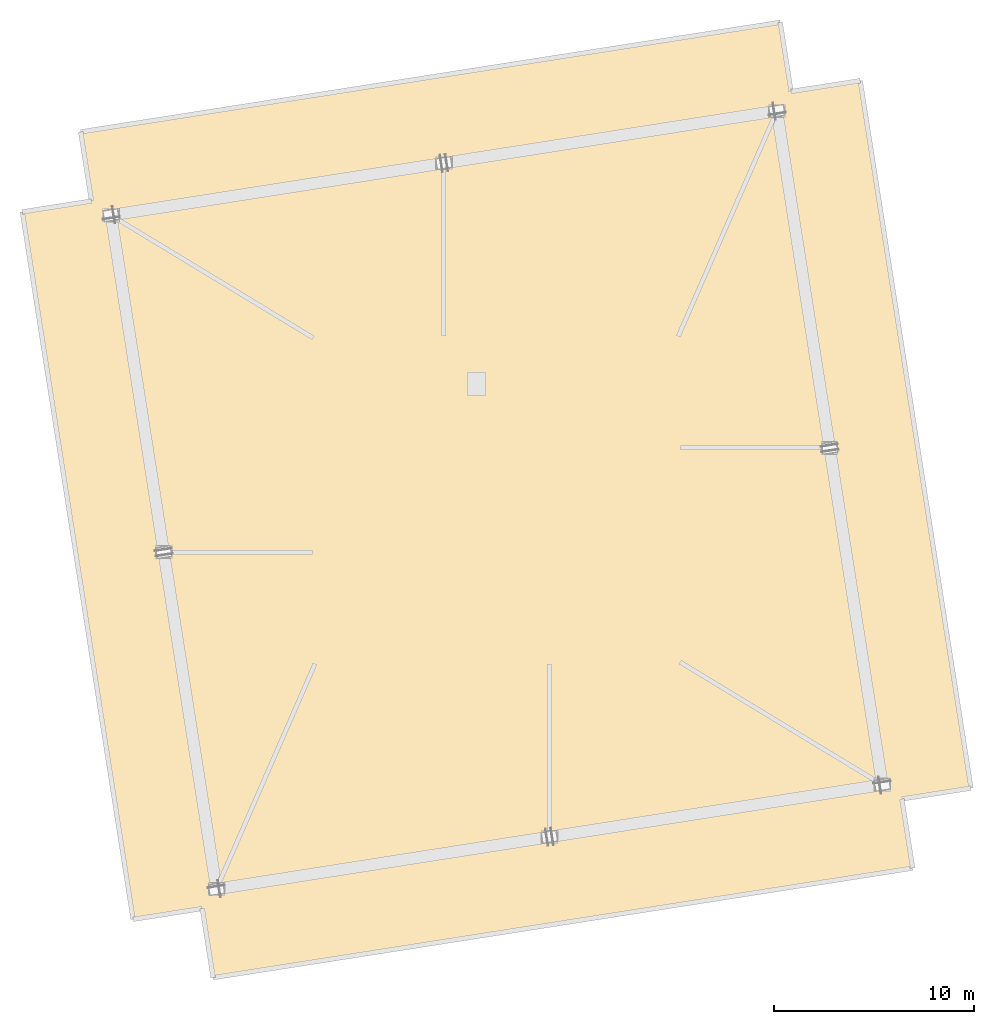
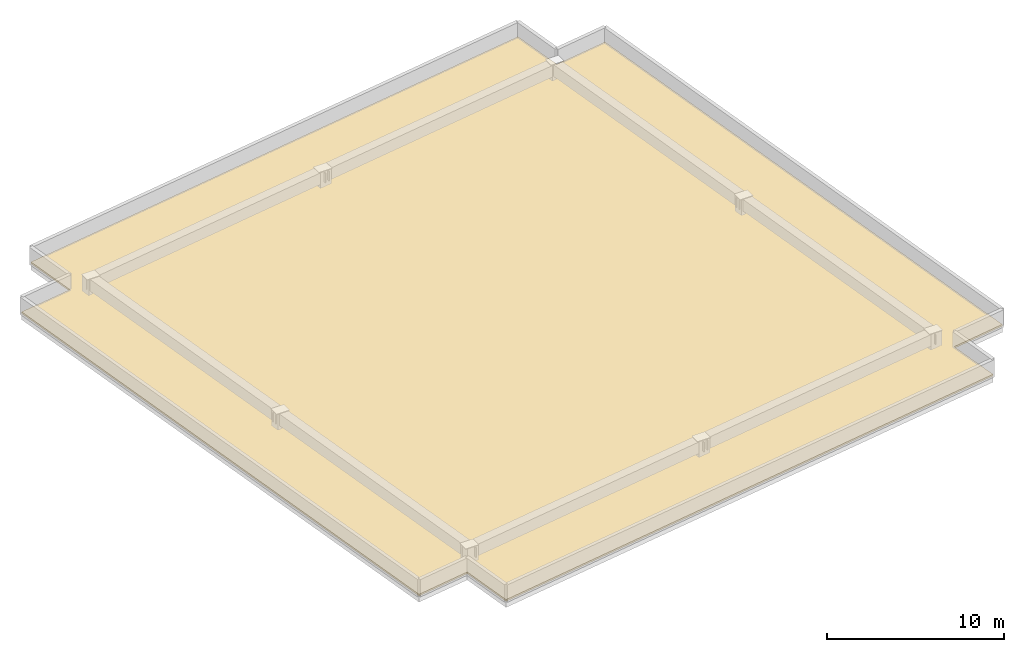
# One storey, part 3 of 3: 1 covering.
"""IFC4 building model written with IfcOpenShell, lengths in metres."""

from ifc_helpers import new_model, si_unit, direction, frame, origin, place, context, subcontext, project, spatial, polyline, outline, extrude, material, layer, layer_set, type_object, element, save


model = new_model("IFC4")

# Units and contexts
model_context = context("Model", 3, precision=1e-05, world=origin(), true_north=direction((0.0, 1.0)))
body_context = subcontext(model_context, "Body", "Model", "MODEL_VIEW")
ifc_project = project(units=[si_unit("LENGTHUNIT", "METRE"), si_unit("AREAUNIT", "SQUARE_METRE"), si_unit("VOLUMEUNIT", "CUBIC_METRE"), si_unit("PLANEANGLEUNIT", "RADIAN"), si_unit("MASSUNIT", "GRAM", prefix="KILO")], contexts=[model_context])

# Site, building, storey
site_placement = place(None, origin())
site = spatial("IfcSite", under=ifc_project, at=site_placement, CompositionType="ELEMENT")
building_placement = place(site_placement, origin())
building = spatial("IfcBuilding", under=site, at=building_placement, Name="Haldenkirk Collegiate Tower", CompositionType="ELEMENT")
storey_placement = place(building_placement, frame((0.0, 0.0, 375.0)))
storey = spatial("IfcBuildingStorey", under=building, at=storey_placement, Name="ROOF", CompositionType="ELEMENT", Elevation=375.0)

# Covering
ifc_material = material(Name="Insulated SBS modified-bitumen roofing assembly", Category="concrete")
ifc_layer = layer(ifc_material, 0.1201171875)
ifc_layer_set = layer_set([ifc_layer], Name="Insulated SBS modified-bitumen roofing assembly")
covering_type = type_object("IfcCoveringType", Name="COV-ROOFING-120", PredefinedType="ROOFING", material=ifc_layer_set)
covering_placement = place(storey_placement, origin())
element("IfcCovering", 1, at=covering_placement, inside=storey, type_object=covering_type, Name="Crown flat roof insulated waterproof membrane", PredefinedType="ROOFING", context=body_context, shape_type="SweptSolid", body=[
    extrude(outline(polyline([(59.714111328125, 11.595458984375), (54.17529296875, 46.96435546875), (50.717529296875, 46.4228515625), (50.176025390625, 49.880615234375), (15.202392578125, 44.404052734375), (15.743896484375, 40.946044921875), (12.285888671875, 40.404541015625), (17.82470703125, 5.03564453125), (21.282470703125, 5.5771484375), (21.823974609375, 2.119384765625), (56.797607421875, 7.595947265625), (56.256103515625, 11.053955078125), (59.714111328125, 11.595458984375)])), origin(), (0.0, 0.0, 1.0), 0.1201171875),
])

save(model, "model.ifc")
